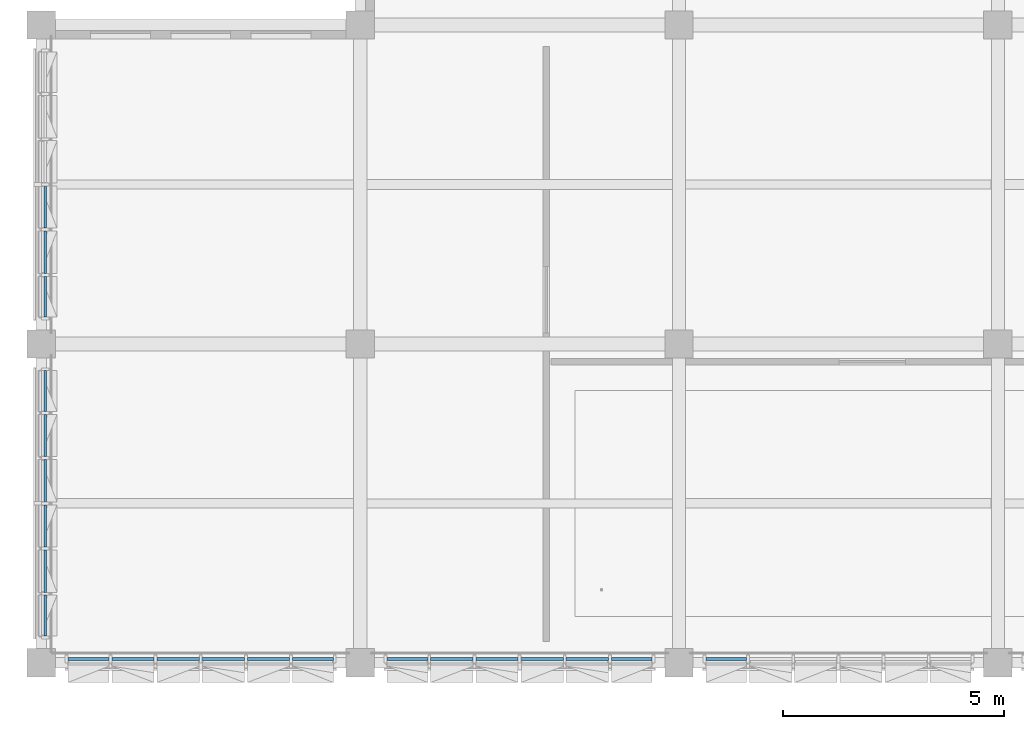
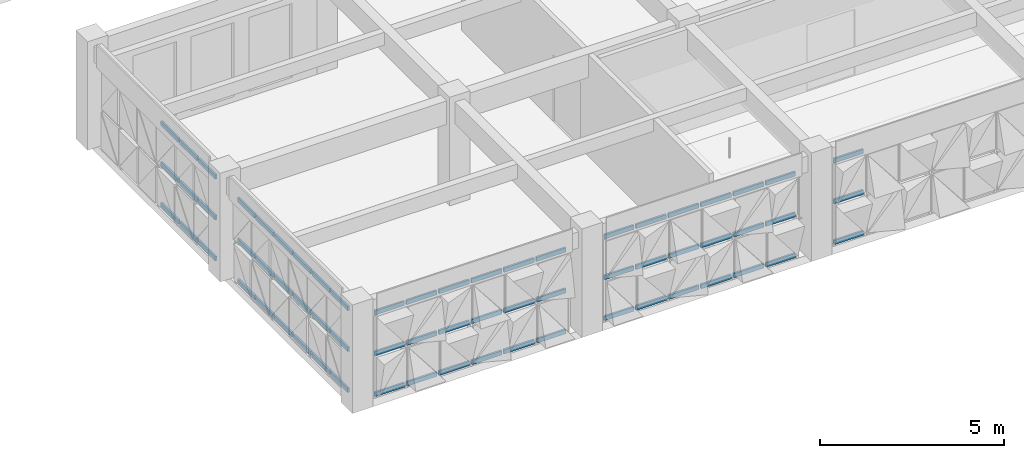
# One storey, part 19 of 85: 66 members, 5 elements without a shape of their own.
"""IFC4 building model written with IfcOpenShell, lengths in metres."""

from ifc_helpers import new_model, si_unit, direction, frame, origin, origin_2d, place, context, subcontext, project, spatial, rectangle, extrude, material, material_profile, profile_set, type_object, element, aggregate, save


model = new_model("IFC4")

# Units and contexts
model_context = context("Model", 3, precision=1e-05, world=origin(), true_north=direction((0.0, 1.0)))
body_context = subcontext(model_context, "Body", "Model", "MODEL_VIEW")
ifc_project = project(units=[si_unit("LENGTHUNIT", "METRE"), si_unit("AREAUNIT", "SQUARE_METRE"), si_unit("VOLUMEUNIT", "CUBIC_METRE"), si_unit("PLANEANGLEUNIT", "RADIAN"), si_unit("MASSUNIT", "GRAM", prefix="KILO")], contexts=[model_context])

# Site, building, storey
site_placement = place(None, origin())
site = spatial("IfcSite", under=ifc_project, at=site_placement, CompositionType="ELEMENT")
building_placement = place(site_placement, origin())
building = spatial("IfcBuilding", under=site, at=building_placement, Name="Alvorim Cloister Faculty of Sciences", CompositionType="ELEMENT")
storey_placement = place(building_placement, frame((0.0, 0.0, 8.550048828125)))
storey = spatial("IfcBuildingStorey", under=building, at=storey_placement, Name="L02", CompositionType="ELEMENT", Elevation=8.550048828125)

# Curtain wall, members
ifc_material_1 = material(Name="Aluminium and Low-E Glass Curtain Wall", Category="aluminium")
curtain_wall_type = type_object("IfcCurtainWallType", Name="CW-TRI-6120x2850", PredefinedType="USERDEFINED", material=ifc_material_1)
curtain_wall_1_placement = place(storey_placement, origin())
curtain_wall_1 = element("IfcCurtainWall", 1, at=curtain_wall_1_placement, inside=storey, type_object=curtain_wall_type, Name="L02 Diagonal Cassette Curtain Wall CW-0085", ObjectType="UNITISED CURTAIN WALL", PredefinedType="USERDEFINED")
ifc_material_2 = material(Name="Aluminium Alloy 6063-T6", Category="aluminium")
ifc_material_profile = material_profile(ifc_material_2, rectangle(XDim=0.06494140625, YDim=0.139892578125, at=origin_2d()), Name="ALU-TRN-65x140")
ifc_profile_set = profile_set([ifc_material_profile], Name="Aluminium Alloy 6063-T6")
member_type = type_object("IfcMemberType", Name="CW-TRN-65x140", PredefinedType="USERDEFINED", material=ifc_profile_set)
member_1_placement = place(storey_placement, frame((15.0048828125, 0.090087890625, 0.070068359375), z_axis=(1.0, 0.0, 0.0), x_axis=(0.0, 1.0, 0.0)))
member_1 = element("IfcMember", 2, at=member_1_placement, type_object=member_type, Name="CW-0085 Transom 1.1", ObjectType="TRANSOM", PredefinedType="USERDEFINED", context=body_context, shape_type="SweptSolid", body=[
    extrude(rectangle(XDim=0.06494140625, YDim=0.139892578125, at=origin_2d()), origin(), (0.0, 0.0, 1.0), 0.922607421875),
])
member_2_placement = place(storey_placement, frame((15.0048828125, 0.090087890625, 1.425048828125), z_axis=(1.0, 0.0, 0.0), x_axis=(0.0, 1.0, 0.0)))
member_2 = element("IfcMember", 3, at=member_2_placement, type_object=member_type, Name="CW-0085 Transom 1.2", ObjectType="TRANSOM", PredefinedType="USERDEFINED", context=body_context, shape_type="SweptSolid", body=[
    extrude(rectangle(XDim=0.06494140625, YDim=0.139892578125, at=origin_2d()), origin(), (0.0, 0.0, 1.0), 0.922607421875),
])
member_3_placement = place(storey_placement, frame((15.0048828125, 0.090087890625, 2.780029296875), z_axis=(1.0, 0.0, 0.0), x_axis=(0.0, 1.0, 0.0)))
member_3 = element("IfcMember", 4, at=member_3_placement, type_object=member_type, Name="CW-0085 Transom 1.3", ObjectType="TRANSOM", PredefinedType="USERDEFINED", context=body_context, shape_type="SweptSolid", body=[
    extrude(rectangle(XDim=0.06494140625, YDim=0.139892578125, at=origin_2d()), origin(), (0.0, 0.0, 1.0), 0.922607421875),
])
aggregate(curtain_wall_1, [member_1, member_2, member_3])

curtain_wall_2_placement = place(storey_placement, origin())
curtain_wall_2 = element("IfcCurtainWall", 5, at=curtain_wall_2_placement, inside=storey, type_object=curtain_wall_type, Name="L02 Diagonal Cassette Curtain Wall CW-0086", ObjectType="UNITISED CURTAIN WALL", PredefinedType="USERDEFINED")
member_4_placement = place(storey_placement, frame((7.804931640625, 0.090087890625, 0.070068359375), z_axis=(1.0, 0.0, 0.0), x_axis=(0.0, 1.0, 0.0)))
member_4 = element("IfcMember", 6, at=member_4_placement, type_object=member_type, Name="CW-0086 Transom 1.1", ObjectType="TRANSOM", PredefinedType="USERDEFINED", context=body_context, shape_type="SweptSolid", body=[
    extrude(rectangle(XDim=0.06494140625, YDim=0.139892578125, at=origin_2d()), origin(), (0.0, 0.0, 1.0), 0.922607421875),
])
member_5_placement = place(storey_placement, frame((7.804931640625, 0.090087890625, 1.425048828125), z_axis=(1.0, 0.0, 0.0), x_axis=(0.0, 1.0, 0.0)))
member_5 = element("IfcMember", 7, at=member_5_placement, type_object=member_type, Name="CW-0086 Transom 1.2", ObjectType="TRANSOM", PredefinedType="USERDEFINED", context=body_context, shape_type="SweptSolid", body=[
    extrude(rectangle(XDim=0.06494140625, YDim=0.139892578125, at=origin_2d()), origin(), (0.0, 0.0, 1.0), 0.922607421875),
])
member_6_placement = place(storey_placement, frame((7.804931640625, 0.090087890625, 2.780029296875), z_axis=(1.0, 0.0, 0.0), x_axis=(0.0, 1.0, 0.0)))
member_6 = element("IfcMember", 8, at=member_6_placement, type_object=member_type, Name="CW-0086 Transom 1.3", ObjectType="TRANSOM", PredefinedType="USERDEFINED", context=body_context, shape_type="SweptSolid", body=[
    extrude(rectangle(XDim=0.06494140625, YDim=0.139892578125, at=origin_2d()), origin(), (0.0, 0.0, 1.0), 0.922607421875),
])
member_7_placement = place(storey_placement, frame((8.79248046875, 0.090087890625, 0.070068359375), z_axis=(1.0, 0.0, 0.0), x_axis=(0.0, 1.0, 0.0)))
member_7 = element("IfcMember", 9, at=member_7_placement, type_object=member_type, Name="CW-0086 Transom 2.1", ObjectType="TRANSOM", PredefinedType="USERDEFINED", context=body_context, shape_type="SweptSolid", body=[
    extrude(rectangle(XDim=0.06494140625, YDim=0.139892578125, at=origin_2d()), origin(), (0.0, 0.0, 1.0), 0.955078125),
])
member_8_placement = place(storey_placement, frame((8.79248046875, 0.090087890625, 1.425048828125), z_axis=(1.0, 0.0, 0.0), x_axis=(0.0, 1.0, 0.0)))
member_8 = element("IfcMember", 10, at=member_8_placement, type_object=member_type, Name="CW-0086 Transom 2.2", ObjectType="TRANSOM", PredefinedType="USERDEFINED", context=body_context, shape_type="SweptSolid", body=[
    extrude(rectangle(XDim=0.06494140625, YDim=0.139892578125, at=origin_2d()), origin(), (0.0, 0.0, 1.0), 0.955078125),
])
member_9_placement = place(storey_placement, frame((8.79248046875, 0.090087890625, 2.780029296875), z_axis=(1.0, 0.0, 0.0), x_axis=(0.0, 1.0, 0.0)))
member_9 = element("IfcMember", 11, at=member_9_placement, type_object=member_type, Name="CW-0086 Transom 2.3", ObjectType="TRANSOM", PredefinedType="USERDEFINED", context=body_context, shape_type="SweptSolid", body=[
    extrude(rectangle(XDim=0.06494140625, YDim=0.139892578125, at=origin_2d()), origin(), (0.0, 0.0, 1.0), 0.955078125),
])
member_10_placement = place(storey_placement, frame((9.8125, 0.090087890625, 0.070068359375), z_axis=(1.0, 0.0, 0.0), x_axis=(0.0, 1.0, 0.0)))
member_10 = element("IfcMember", 12, at=member_10_placement, type_object=member_type, Name="CW-0086 Transom 3.1", ObjectType="TRANSOM", PredefinedType="USERDEFINED", context=body_context, shape_type="SweptSolid", body=[
    extrude(rectangle(XDim=0.06494140625, YDim=0.139892578125, at=origin_2d()), origin(), (0.0, 0.0, 1.0), 0.955078125),
])
member_11_placement = place(storey_placement, frame((9.8125, 0.090087890625, 1.425048828125), z_axis=(1.0, 0.0, 0.0), x_axis=(0.0, 1.0, 0.0)))
member_11 = element("IfcMember", 13, at=member_11_placement, type_object=member_type, Name="CW-0086 Transom 3.2", ObjectType="TRANSOM", PredefinedType="USERDEFINED", context=body_context, shape_type="SweptSolid", body=[
    extrude(rectangle(XDim=0.06494140625, YDim=0.139892578125, at=origin_2d()), origin(), (0.0, 0.0, 1.0), 0.955078125),
])
member_12_placement = place(storey_placement, frame((9.8125, 0.090087890625, 2.780029296875), z_axis=(1.0, 0.0, 0.0), x_axis=(0.0, 1.0, 0.0)))
member_12 = element("IfcMember", 14, at=member_12_placement, type_object=member_type, Name="CW-0086 Transom 3.3", ObjectType="TRANSOM", PredefinedType="USERDEFINED", context=body_context, shape_type="SweptSolid", body=[
    extrude(rectangle(XDim=0.06494140625, YDim=0.139892578125, at=origin_2d()), origin(), (0.0, 0.0, 1.0), 0.955078125),
])
member_13_placement = place(storey_placement, frame((10.83251953125, 0.090087890625, 0.070068359375), z_axis=(1.0, 0.0, 0.0), x_axis=(0.0, 1.0, 0.0)))
member_13 = element("IfcMember", 15, at=member_13_placement, type_object=member_type, Name="CW-0086 Transom 4.1", ObjectType="TRANSOM", PredefinedType="USERDEFINED", context=body_context, shape_type="SweptSolid", body=[
    extrude(rectangle(XDim=0.06494140625, YDim=0.139892578125, at=origin_2d()), origin(), (0.0, 0.0, 1.0), 0.955078125),
])
member_14_placement = place(storey_placement, frame((10.83251953125, 0.090087890625, 1.425048828125), z_axis=(1.0, 0.0, 0.0), x_axis=(0.0, 1.0, 0.0)))
member_14 = element("IfcMember", 16, at=member_14_placement, type_object=member_type, Name="CW-0086 Transom 4.2", ObjectType="TRANSOM", PredefinedType="USERDEFINED", context=body_context, shape_type="SweptSolid", body=[
    extrude(rectangle(XDim=0.06494140625, YDim=0.139892578125, at=origin_2d()), origin(), (0.0, 0.0, 1.0), 0.955078125),
])
member_15_placement = place(storey_placement, frame((10.83251953125, 0.090087890625, 2.780029296875), z_axis=(1.0, 0.0, 0.0), x_axis=(0.0, 1.0, 0.0)))
member_15 = element("IfcMember", 17, at=member_15_placement, type_object=member_type, Name="CW-0086 Transom 4.3", ObjectType="TRANSOM", PredefinedType="USERDEFINED", context=body_context, shape_type="SweptSolid", body=[
    extrude(rectangle(XDim=0.06494140625, YDim=0.139892578125, at=origin_2d()), origin(), (0.0, 0.0, 1.0), 0.955078125),
])
member_16_placement = place(storey_placement, frame((11.8525390625, 0.090087890625, 0.070068359375), z_axis=(1.0, 0.0, 0.0), x_axis=(0.0, 1.0, 0.0)))
member_16 = element("IfcMember", 18, at=member_16_placement, type_object=member_type, Name="CW-0086 Transom 5.1", ObjectType="TRANSOM", PredefinedType="USERDEFINED", context=body_context, shape_type="SweptSolid", body=[
    extrude(rectangle(XDim=0.06494140625, YDim=0.139892578125, at=origin_2d()), origin(), (0.0, 0.0, 1.0), 0.955078125),
])
member_17_placement = place(storey_placement, frame((11.8525390625, 0.090087890625, 1.425048828125), z_axis=(1.0, 0.0, 0.0), x_axis=(0.0, 1.0, 0.0)))
member_17 = element("IfcMember", 19, at=member_17_placement, type_object=member_type, Name="CW-0086 Transom 5.2", ObjectType="TRANSOM", PredefinedType="USERDEFINED", context=body_context, shape_type="SweptSolid", body=[
    extrude(rectangle(XDim=0.06494140625, YDim=0.139892578125, at=origin_2d()), origin(), (0.0, 0.0, 1.0), 0.955078125),
])
member_18_placement = place(storey_placement, frame((11.8525390625, 0.090087890625, 2.780029296875), z_axis=(1.0, 0.0, 0.0), x_axis=(0.0, 1.0, 0.0)))
member_18 = element("IfcMember", 20, at=member_18_placement, type_object=member_type, Name="CW-0086 Transom 5.3", ObjectType="TRANSOM", PredefinedType="USERDEFINED", context=body_context, shape_type="SweptSolid", body=[
    extrude(rectangle(XDim=0.06494140625, YDim=0.139892578125, at=origin_2d()), origin(), (0.0, 0.0, 1.0), 0.955078125),
])
member_19_placement = place(storey_placement, frame((12.87255859375, 0.090087890625, 0.070068359375), z_axis=(1.0, 0.0, 0.0), x_axis=(0.0, 1.0, 0.0)))
member_19 = element("IfcMember", 21, at=member_19_placement, type_object=member_type, Name="CW-0086 Transom 6.1", ObjectType="TRANSOM", PredefinedType="USERDEFINED", context=body_context, shape_type="SweptSolid", body=[
    extrude(rectangle(XDim=0.06494140625, YDim=0.139892578125, at=origin_2d()), origin(), (0.0, 0.0, 1.0), 0.92236328125),
])
member_20_placement = place(storey_placement, frame((12.87255859375, 0.090087890625, 1.425048828125), z_axis=(1.0, 0.0, 0.0), x_axis=(0.0, 1.0, 0.0)))
member_20 = element("IfcMember", 22, at=member_20_placement, type_object=member_type, Name="CW-0086 Transom 6.2", ObjectType="TRANSOM", PredefinedType="USERDEFINED", context=body_context, shape_type="SweptSolid", body=[
    extrude(rectangle(XDim=0.06494140625, YDim=0.139892578125, at=origin_2d()), origin(), (0.0, 0.0, 1.0), 0.92236328125),
])
member_21_placement = place(storey_placement, frame((12.87255859375, 0.090087890625, 2.780029296875), z_axis=(1.0, 0.0, 0.0), x_axis=(0.0, 1.0, 0.0)))
member_21 = element("IfcMember", 23, at=member_21_placement, type_object=member_type, Name="CW-0086 Transom 6.3", ObjectType="TRANSOM", PredefinedType="USERDEFINED", context=body_context, shape_type="SweptSolid", body=[
    extrude(rectangle(XDim=0.06494140625, YDim=0.139892578125, at=origin_2d()), origin(), (0.0, 0.0, 1.0), 0.92236328125),
])
aggregate(curtain_wall_2, [member_4, member_5, member_6, member_7, member_8, member_9, member_10, member_11, member_12, member_13, member_14, member_15, member_16, member_17, member_18, member_19, member_20, member_21])

curtain_wall_3_placement = place(storey_placement, origin())
curtain_wall_3 = element("IfcCurtainWall", 24, at=curtain_wall_3_placement, inside=storey, type_object=curtain_wall_type, Name="L02 Diagonal Cassette Curtain Wall CW-0087", ObjectType="UNITISED CURTAIN WALL", PredefinedType="USERDEFINED")
member_22_placement = place(storey_placement, frame((0.60498046875, 0.090087890625, 0.070068359375), z_axis=(1.0, 0.0, 0.0), x_axis=(0.0, 1.0, 0.0)))
member_22 = element("IfcMember", 25, at=member_22_placement, type_object=member_type, Name="CW-0087 Transom 1.1", ObjectType="TRANSOM", PredefinedType="USERDEFINED", context=body_context, shape_type="SweptSolid", body=[
    extrude(rectangle(XDim=0.06494140625, YDim=0.139892578125, at=origin_2d()), origin(), (0.0, 0.0, 1.0), 0.922607421875),
])
member_23_placement = place(storey_placement, frame((0.60498046875, 0.090087890625, 1.425048828125), z_axis=(1.0, 0.0, 0.0), x_axis=(0.0, 1.0, 0.0)))
member_23 = element("IfcMember", 26, at=member_23_placement, type_object=member_type, Name="CW-0087 Transom 1.2", ObjectType="TRANSOM", PredefinedType="USERDEFINED", context=body_context, shape_type="SweptSolid", body=[
    extrude(rectangle(XDim=0.06494140625, YDim=0.139892578125, at=origin_2d()), origin(), (0.0, 0.0, 1.0), 0.922607421875),
])
member_24_placement = place(storey_placement, frame((0.60498046875, 0.090087890625, 2.780029296875), z_axis=(1.0, 0.0, 0.0), x_axis=(0.0, 1.0, 0.0)))
member_24 = element("IfcMember", 27, at=member_24_placement, type_object=member_type, Name="CW-0087 Transom 1.3", ObjectType="TRANSOM", PredefinedType="USERDEFINED", context=body_context, shape_type="SweptSolid", body=[
    extrude(rectangle(XDim=0.06494140625, YDim=0.139892578125, at=origin_2d()), origin(), (0.0, 0.0, 1.0), 0.922607421875),
])
member_25_placement = place(storey_placement, frame((1.592529296875, 0.090087890625, 0.070068359375), z_axis=(1.0, 0.0, 0.0), x_axis=(0.0, 1.0, 0.0)))
member_25 = element("IfcMember", 28, at=member_25_placement, type_object=member_type, Name="CW-0087 Transom 2.1", ObjectType="TRANSOM", PredefinedType="USERDEFINED", context=body_context, shape_type="SweptSolid", body=[
    extrude(rectangle(XDim=0.06494140625, YDim=0.139892578125, at=origin_2d()), origin(), (0.0, 0.0, 1.0), 0.955078125),
])
member_26_placement = place(storey_placement, frame((1.592529296875, 0.090087890625, 1.425048828125), z_axis=(1.0, 0.0, 0.0), x_axis=(0.0, 1.0, 0.0)))
member_26 = element("IfcMember", 29, at=member_26_placement, type_object=member_type, Name="CW-0087 Transom 2.2", ObjectType="TRANSOM", PredefinedType="USERDEFINED", context=body_context, shape_type="SweptSolid", body=[
    extrude(rectangle(XDim=0.06494140625, YDim=0.139892578125, at=origin_2d()), origin(), (0.0, 0.0, 1.0), 0.955078125),
])
member_27_placement = place(storey_placement, frame((1.592529296875, 0.090087890625, 2.780029296875), z_axis=(1.0, 0.0, 0.0), x_axis=(0.0, 1.0, 0.0)))
member_27 = element("IfcMember", 30, at=member_27_placement, type_object=member_type, Name="CW-0087 Transom 2.3", ObjectType="TRANSOM", PredefinedType="USERDEFINED", context=body_context, shape_type="SweptSolid", body=[
    extrude(rectangle(XDim=0.06494140625, YDim=0.139892578125, at=origin_2d()), origin(), (0.0, 0.0, 1.0), 0.955078125),
])
member_28_placement = place(storey_placement, frame((2.612548828125, 0.090087890625, 0.070068359375), z_axis=(1.0, 0.0, 0.0), x_axis=(0.0, 1.0, 0.0)))
member_28 = element("IfcMember", 31, at=member_28_placement, type_object=member_type, Name="CW-0087 Transom 3.1", ObjectType="TRANSOM", PredefinedType="USERDEFINED", context=body_context, shape_type="SweptSolid", body=[
    extrude(rectangle(XDim=0.06494140625, YDim=0.139892578125, at=origin_2d()), origin(), (0.0, 0.0, 1.0), 0.954833984375),
])
member_29_placement = place(storey_placement, frame((2.612548828125, 0.090087890625, 1.425048828125), z_axis=(1.0, 0.0, 0.0), x_axis=(0.0, 1.0, 0.0)))
member_29 = element("IfcMember", 32, at=member_29_placement, type_object=member_type, Name="CW-0087 Transom 3.2", ObjectType="TRANSOM", PredefinedType="USERDEFINED", context=body_context, shape_type="SweptSolid", body=[
    extrude(rectangle(XDim=0.06494140625, YDim=0.139892578125, at=origin_2d()), origin(), (0.0, 0.0, 1.0), 0.954833984375),
])
member_30_placement = place(storey_placement, frame((2.612548828125, 0.090087890625, 2.780029296875), z_axis=(1.0, 0.0, 0.0), x_axis=(0.0, 1.0, 0.0)))
member_30 = element("IfcMember", 33, at=member_30_placement, type_object=member_type, Name="CW-0087 Transom 3.3", ObjectType="TRANSOM", PredefinedType="USERDEFINED", context=body_context, shape_type="SweptSolid", body=[
    extrude(rectangle(XDim=0.06494140625, YDim=0.139892578125, at=origin_2d()), origin(), (0.0, 0.0, 1.0), 0.954833984375),
])
member_31_placement = place(storey_placement, frame((3.632568359375, 0.090087890625, 0.070068359375), z_axis=(1.0, 0.0, 0.0), x_axis=(0.0, 1.0, 0.0)))
member_31 = element("IfcMember", 34, at=member_31_placement, type_object=member_type, Name="CW-0087 Transom 4.1", ObjectType="TRANSOM", PredefinedType="USERDEFINED", context=body_context, shape_type="SweptSolid", body=[
    extrude(rectangle(XDim=0.06494140625, YDim=0.139892578125, at=origin_2d()), origin(), (0.0, 0.0, 1.0), 0.954833984375),
])
member_32_placement = place(storey_placement, frame((3.632568359375, 0.090087890625, 1.425048828125), z_axis=(1.0, 0.0, 0.0), x_axis=(0.0, 1.0, 0.0)))
member_32 = element("IfcMember", 35, at=member_32_placement, type_object=member_type, Name="CW-0087 Transom 4.2", ObjectType="TRANSOM", PredefinedType="USERDEFINED", context=body_context, shape_type="SweptSolid", body=[
    extrude(rectangle(XDim=0.06494140625, YDim=0.139892578125, at=origin_2d()), origin(), (0.0, 0.0, 1.0), 0.954833984375),
])
member_33_placement = place(storey_placement, frame((3.632568359375, 0.090087890625, 2.780029296875), z_axis=(1.0, 0.0, 0.0), x_axis=(0.0, 1.0, 0.0)))
member_33 = element("IfcMember", 36, at=member_33_placement, type_object=member_type, Name="CW-0087 Transom 4.3", ObjectType="TRANSOM", PredefinedType="USERDEFINED", context=body_context, shape_type="SweptSolid", body=[
    extrude(rectangle(XDim=0.06494140625, YDim=0.139892578125, at=origin_2d()), origin(), (0.0, 0.0, 1.0), 0.954833984375),
])
member_34_placement = place(storey_placement, frame((4.652587890625, 0.090087890625, 0.070068359375), z_axis=(1.0, 0.0, 0.0), x_axis=(0.0, 1.0, 0.0)))
member_34 = element("IfcMember", 37, at=member_34_placement, type_object=member_type, Name="CW-0087 Transom 5.1", ObjectType="TRANSOM", PredefinedType="USERDEFINED", context=body_context, shape_type="SweptSolid", body=[
    extrude(rectangle(XDim=0.06494140625, YDim=0.139892578125, at=origin_2d()), origin(), (0.0, 0.0, 1.0), 0.954833984375),
])
member_35_placement = place(storey_placement, frame((4.652587890625, 0.090087890625, 1.425048828125), z_axis=(1.0, 0.0, 0.0), x_axis=(0.0, 1.0, 0.0)))
member_35 = element("IfcMember", 38, at=member_35_placement, type_object=member_type, Name="CW-0087 Transom 5.2", ObjectType="TRANSOM", PredefinedType="USERDEFINED", context=body_context, shape_type="SweptSolid", body=[
    extrude(rectangle(XDim=0.06494140625, YDim=0.139892578125, at=origin_2d()), origin(), (0.0, 0.0, 1.0), 0.954833984375),
])
member_36_placement = place(storey_placement, frame((4.652587890625, 0.090087890625, 2.780029296875), z_axis=(1.0, 0.0, 0.0), x_axis=(0.0, 1.0, 0.0)))
member_36 = element("IfcMember", 39, at=member_36_placement, type_object=member_type, Name="CW-0087 Transom 5.3", ObjectType="TRANSOM", PredefinedType="USERDEFINED", context=body_context, shape_type="SweptSolid", body=[
    extrude(rectangle(XDim=0.06494140625, YDim=0.139892578125, at=origin_2d()), origin(), (0.0, 0.0, 1.0), 0.954833984375),
])
member_37_placement = place(storey_placement, frame((5.672607421875, 0.090087890625, 0.070068359375), z_axis=(1.0, 0.0, 0.0), x_axis=(0.0, 1.0, 0.0)))
member_37 = element("IfcMember", 40, at=member_37_placement, type_object=member_type, Name="CW-0087 Transom 6.1", ObjectType="TRANSOM", PredefinedType="USERDEFINED", context=body_context, shape_type="SweptSolid", body=[
    extrude(rectangle(XDim=0.06494140625, YDim=0.139892578125, at=origin_2d()), origin(), (0.0, 0.0, 1.0), 0.92236328125),
])
member_38_placement = place(storey_placement, frame((5.672607421875, 0.090087890625, 1.425048828125), z_axis=(1.0, 0.0, 0.0), x_axis=(0.0, 1.0, 0.0)))
member_38 = element("IfcMember", 41, at=member_38_placement, type_object=member_type, Name="CW-0087 Transom 6.2", ObjectType="TRANSOM", PredefinedType="USERDEFINED", context=body_context, shape_type="SweptSolid", body=[
    extrude(rectangle(XDim=0.06494140625, YDim=0.139892578125, at=origin_2d()), origin(), (0.0, 0.0, 1.0), 0.92236328125),
])
member_39_placement = place(storey_placement, frame((5.672607421875, 0.090087890625, 2.780029296875), z_axis=(1.0, 0.0, 0.0), x_axis=(0.0, 1.0, 0.0)))
member_39 = element("IfcMember", 42, at=member_39_placement, type_object=member_type, Name="CW-0087 Transom 6.3", ObjectType="TRANSOM", PredefinedType="USERDEFINED", context=body_context, shape_type="SweptSolid", body=[
    extrude(rectangle(XDim=0.06494140625, YDim=0.139892578125, at=origin_2d()), origin(), (0.0, 0.0, 1.0), 0.92236328125),
])
aggregate(curtain_wall_3, [member_22, member_23, member_24, member_25, member_26, member_27, member_28, member_29, member_30, member_31, member_32, member_33, member_34, member_35, member_36, member_37, member_38, member_39])

curtain_wall_4_placement = place(storey_placement, origin())
curtain_wall_4 = element("IfcCurtainWall", 43, at=curtain_wall_4_placement, inside=storey, type_object=curtain_wall_type, Name="L02 Diagonal Cassette Curtain Wall CW-0088", ObjectType="UNITISED CURTAIN WALL", PredefinedType="USERDEFINED")
member_40_placement = place(storey_placement, frame((0.090087890625, 0.60498046875, 0.070068359375), z_axis=(0.0, 1.0, 0.0), x_axis=(-1.0, 0.0, 0.0)))
member_40 = element("IfcMember", 44, at=member_40_placement, type_object=member_type, Name="CW-0088 Transom 1.1", ObjectType="TRANSOM", PredefinedType="USERDEFINED", context=body_context, shape_type="SweptSolid", body=[
    extrude(rectangle(XDim=0.06494140625, YDim=0.139892578125, at=origin_2d()), origin(), (0.0, 0.0, 1.0), 0.922607421875),
])
member_41_placement = place(storey_placement, frame((0.090087890625, 0.60498046875, 1.425048828125), z_axis=(0.0, 1.0, 0.0), x_axis=(-1.0, 0.0, 0.0)))
member_41 = element("IfcMember", 45, at=member_41_placement, type_object=member_type, Name="CW-0088 Transom 1.2", ObjectType="TRANSOM", PredefinedType="USERDEFINED", context=body_context, shape_type="SweptSolid", body=[
    extrude(rectangle(XDim=0.06494140625, YDim=0.139892578125, at=origin_2d()), origin(), (0.0, 0.0, 1.0), 0.922607421875),
])
member_42_placement = place(storey_placement, frame((0.090087890625, 0.60498046875, 2.780029296875), z_axis=(0.0, 1.0, 0.0), x_axis=(-1.0, 0.0, 0.0)))
member_42 = element("IfcMember", 46, at=member_42_placement, type_object=member_type, Name="CW-0088 Transom 1.3", ObjectType="TRANSOM", PredefinedType="USERDEFINED", context=body_context, shape_type="SweptSolid", body=[
    extrude(rectangle(XDim=0.06494140625, YDim=0.139892578125, at=origin_2d()), origin(), (0.0, 0.0, 1.0), 0.922607421875),
])
member_43_placement = place(storey_placement, frame((0.090087890625, 1.592529296875, 0.070068359375), z_axis=(0.0, 1.0, 0.0), x_axis=(-1.0, 0.0, 0.0)))
member_43 = element("IfcMember", 47, at=member_43_placement, type_object=member_type, Name="CW-0088 Transom 2.1", ObjectType="TRANSOM", PredefinedType="USERDEFINED", context=body_context, shape_type="SweptSolid", body=[
    extrude(rectangle(XDim=0.06494140625, YDim=0.139892578125, at=origin_2d()), origin(), (0.0, 0.0, 1.0), 0.955078125),
])
member_44_placement = place(storey_placement, frame((0.090087890625, 1.592529296875, 1.425048828125), z_axis=(0.0, 1.0, 0.0), x_axis=(-1.0, 0.0, 0.0)))
member_44 = element("IfcMember", 48, at=member_44_placement, type_object=member_type, Name="CW-0088 Transom 2.2", ObjectType="TRANSOM", PredefinedType="USERDEFINED", context=body_context, shape_type="SweptSolid", body=[
    extrude(rectangle(XDim=0.06494140625, YDim=0.139892578125, at=origin_2d()), origin(), (0.0, 0.0, 1.0), 0.955078125),
])
member_45_placement = place(storey_placement, frame((0.090087890625, 1.592529296875, 2.780029296875), z_axis=(0.0, 1.0, 0.0), x_axis=(-1.0, 0.0, 0.0)))
member_45 = element("IfcMember", 49, at=member_45_placement, type_object=member_type, Name="CW-0088 Transom 2.3", ObjectType="TRANSOM", PredefinedType="USERDEFINED", context=body_context, shape_type="SweptSolid", body=[
    extrude(rectangle(XDim=0.06494140625, YDim=0.139892578125, at=origin_2d()), origin(), (0.0, 0.0, 1.0), 0.955078125),
])
member_46_placement = place(storey_placement, frame((0.090087890625, 2.612548828125, 0.070068359375), z_axis=(0.0, 1.0, 0.0), x_axis=(-1.0, 0.0, 0.0)))
member_46 = element("IfcMember", 50, at=member_46_placement, type_object=member_type, Name="CW-0088 Transom 3.1", ObjectType="TRANSOM", PredefinedType="USERDEFINED", context=body_context, shape_type="SweptSolid", body=[
    extrude(rectangle(XDim=0.06494140625, YDim=0.139892578125, at=origin_2d()), origin(), (0.0, 0.0, 1.0), 0.954833984375),
])
member_47_placement = place(storey_placement, frame((0.090087890625, 2.612548828125, 1.425048828125), z_axis=(0.0, 1.0, 0.0), x_axis=(-1.0, 0.0, 0.0)))
member_47 = element("IfcMember", 51, at=member_47_placement, type_object=member_type, Name="CW-0088 Transom 3.2", ObjectType="TRANSOM", PredefinedType="USERDEFINED", context=body_context, shape_type="SweptSolid", body=[
    extrude(rectangle(XDim=0.06494140625, YDim=0.139892578125, at=origin_2d()), origin(), (0.0, 0.0, 1.0), 0.954833984375),
])
member_48_placement = place(storey_placement, frame((0.090087890625, 2.612548828125, 2.780029296875), z_axis=(0.0, 1.0, 0.0), x_axis=(-1.0, 0.0, 0.0)))
member_48 = element("IfcMember", 52, at=member_48_placement, type_object=member_type, Name="CW-0088 Transom 3.3", ObjectType="TRANSOM", PredefinedType="USERDEFINED", context=body_context, shape_type="SweptSolid", body=[
    extrude(rectangle(XDim=0.06494140625, YDim=0.139892578125, at=origin_2d()), origin(), (0.0, 0.0, 1.0), 0.954833984375),
])
member_49_placement = place(storey_placement, frame((0.090087890625, 3.632568359375, 0.070068359375), z_axis=(0.0, 1.0, 0.0), x_axis=(-1.0, 0.0, 0.0)))
member_49 = element("IfcMember", 53, at=member_49_placement, type_object=member_type, Name="CW-0088 Transom 4.1", ObjectType="TRANSOM", PredefinedType="USERDEFINED", context=body_context, shape_type="SweptSolid", body=[
    extrude(rectangle(XDim=0.06494140625, YDim=0.139892578125, at=origin_2d()), origin(), (0.0, 0.0, 1.0), 0.954833984375),
])
member_50_placement = place(storey_placement, frame((0.090087890625, 3.632568359375, 1.425048828125), z_axis=(0.0, 1.0, 0.0), x_axis=(-1.0, 0.0, 0.0)))
member_50 = element("IfcMember", 54, at=member_50_placement, type_object=member_type, Name="CW-0088 Transom 4.2", ObjectType="TRANSOM", PredefinedType="USERDEFINED", context=body_context, shape_type="SweptSolid", body=[
    extrude(rectangle(XDim=0.06494140625, YDim=0.139892578125, at=origin_2d()), origin(), (0.0, 0.0, 1.0), 0.954833984375),
])
member_51_placement = place(storey_placement, frame((0.090087890625, 3.632568359375, 2.780029296875), z_axis=(0.0, 1.0, 0.0), x_axis=(-1.0, 0.0, 0.0)))
member_51 = element("IfcMember", 55, at=member_51_placement, type_object=member_type, Name="CW-0088 Transom 4.3", ObjectType="TRANSOM", PredefinedType="USERDEFINED", context=body_context, shape_type="SweptSolid", body=[
    extrude(rectangle(XDim=0.06494140625, YDim=0.139892578125, at=origin_2d()), origin(), (0.0, 0.0, 1.0), 0.954833984375),
])
member_52_placement = place(storey_placement, frame((0.090087890625, 4.652587890625, 0.070068359375), z_axis=(0.0, 1.0, 0.0), x_axis=(-1.0, 0.0, 0.0)))
member_52 = element("IfcMember", 56, at=member_52_placement, type_object=member_type, Name="CW-0088 Transom 5.1", ObjectType="TRANSOM", PredefinedType="USERDEFINED", context=body_context, shape_type="SweptSolid", body=[
    extrude(rectangle(XDim=0.06494140625, YDim=0.139892578125, at=origin_2d()), origin(), (0.0, 0.0, 1.0), 0.954833984375),
])
member_53_placement = place(storey_placement, frame((0.090087890625, 4.652587890625, 1.425048828125), z_axis=(0.0, 1.0, 0.0), x_axis=(-1.0, 0.0, 0.0)))
member_53 = element("IfcMember", 57, at=member_53_placement, type_object=member_type, Name="CW-0088 Transom 5.2", ObjectType="TRANSOM", PredefinedType="USERDEFINED", context=body_context, shape_type="SweptSolid", body=[
    extrude(rectangle(XDim=0.06494140625, YDim=0.139892578125, at=origin_2d()), origin(), (0.0, 0.0, 1.0), 0.954833984375),
])
member_54_placement = place(storey_placement, frame((0.090087890625, 4.652587890625, 2.780029296875), z_axis=(0.0, 1.0, 0.0), x_axis=(-1.0, 0.0, 0.0)))
member_54 = element("IfcMember", 58, at=member_54_placement, type_object=member_type, Name="CW-0088 Transom 5.3", ObjectType="TRANSOM", PredefinedType="USERDEFINED", context=body_context, shape_type="SweptSolid", body=[
    extrude(rectangle(XDim=0.06494140625, YDim=0.139892578125, at=origin_2d()), origin(), (0.0, 0.0, 1.0), 0.954833984375),
])
member_55_placement = place(storey_placement, frame((0.090087890625, 5.672607421875, 0.070068359375), z_axis=(0.0, 1.0, 0.0), x_axis=(-1.0, 0.0, 0.0)))
member_55 = element("IfcMember", 59, at=member_55_placement, type_object=member_type, Name="CW-0088 Transom 6.1", ObjectType="TRANSOM", PredefinedType="USERDEFINED", context=body_context, shape_type="SweptSolid", body=[
    extrude(rectangle(XDim=0.06494140625, YDim=0.139892578125, at=origin_2d()), origin(), (0.0, 0.0, 1.0), 0.92236328125),
])
member_56_placement = place(storey_placement, frame((0.090087890625, 5.672607421875, 1.425048828125), z_axis=(0.0, 1.0, 0.0), x_axis=(-1.0, 0.0, 0.0)))
member_56 = element("IfcMember", 60, at=member_56_placement, type_object=member_type, Name="CW-0088 Transom 6.2", ObjectType="TRANSOM", PredefinedType="USERDEFINED", context=body_context, shape_type="SweptSolid", body=[
    extrude(rectangle(XDim=0.06494140625, YDim=0.139892578125, at=origin_2d()), origin(), (0.0, 0.0, 1.0), 0.92236328125),
])
member_57_placement = place(storey_placement, frame((0.090087890625, 5.672607421875, 2.780029296875), z_axis=(0.0, 1.0, 0.0), x_axis=(-1.0, 0.0, 0.0)))
member_57 = element("IfcMember", 61, at=member_57_placement, type_object=member_type, Name="CW-0088 Transom 6.3", ObjectType="TRANSOM", PredefinedType="USERDEFINED", context=body_context, shape_type="SweptSolid", body=[
    extrude(rectangle(XDim=0.06494140625, YDim=0.139892578125, at=origin_2d()), origin(), (0.0, 0.0, 1.0), 0.92236328125),
])
aggregate(curtain_wall_4, [member_40, member_41, member_42, member_43, member_44, member_45, member_46, member_47, member_48, member_49, member_50, member_51, member_52, member_53, member_54, member_55, member_56, member_57])

curtain_wall_5_placement = place(storey_placement, origin())
curtain_wall_5 = element("IfcCurtainWall", 62, at=curtain_wall_5_placement, inside=storey, type_object=curtain_wall_type, Name="L02 Diagonal Cassette Curtain Wall CW-0089", ObjectType="UNITISED CURTAIN WALL", PredefinedType="USERDEFINED")
member_58_placement = place(storey_placement, frame((0.090087890625, 7.804931640625, 0.070068359375), z_axis=(0.0, 1.0, 0.0), x_axis=(-1.0, 0.0, 0.0)))
member_58 = element("IfcMember", 63, at=member_58_placement, type_object=member_type, Name="CW-0089 Transom 1.1", ObjectType="TRANSOM", PredefinedType="USERDEFINED", context=body_context, shape_type="SweptSolid", body=[
    extrude(rectangle(XDim=0.06494140625, YDim=0.139892578125, at=origin_2d()), origin(), (0.0, 0.0, 1.0), 0.922607421875),
])
member_59_placement = place(storey_placement, frame((0.090087890625, 7.804931640625, 1.425048828125), z_axis=(0.0, 1.0, 0.0), x_axis=(-1.0, 0.0, 0.0)))
member_59 = element("IfcMember", 64, at=member_59_placement, type_object=member_type, Name="CW-0089 Transom 1.2", ObjectType="TRANSOM", PredefinedType="USERDEFINED", context=body_context, shape_type="SweptSolid", body=[
    extrude(rectangle(XDim=0.06494140625, YDim=0.139892578125, at=origin_2d()), origin(), (0.0, 0.0, 1.0), 0.922607421875),
])
member_60_placement = place(storey_placement, frame((0.090087890625, 7.804931640625, 2.780029296875), z_axis=(0.0, 1.0, 0.0), x_axis=(-1.0, 0.0, 0.0)))
member_60 = element("IfcMember", 65, at=member_60_placement, type_object=member_type, Name="CW-0089 Transom 1.3", ObjectType="TRANSOM", PredefinedType="USERDEFINED", context=body_context, shape_type="SweptSolid", body=[
    extrude(rectangle(XDim=0.06494140625, YDim=0.139892578125, at=origin_2d()), origin(), (0.0, 0.0, 1.0), 0.922607421875),
])
member_61_placement = place(storey_placement, frame((0.090087890625, 8.79248046875, 0.070068359375), z_axis=(0.0, 1.0, 0.0), x_axis=(-1.0, 0.0, 0.0)))
member_61 = element("IfcMember", 66, at=member_61_placement, type_object=member_type, Name="CW-0089 Transom 2.1", ObjectType="TRANSOM", PredefinedType="USERDEFINED", context=body_context, shape_type="SweptSolid", body=[
    extrude(rectangle(XDim=0.06494140625, YDim=0.139892578125, at=origin_2d()), origin(), (0.0, 0.0, 1.0), 0.955078125),
])
member_62_placement = place(storey_placement, frame((0.090087890625, 8.79248046875, 1.425048828125), z_axis=(0.0, 1.0, 0.0), x_axis=(-1.0, 0.0, 0.0)))
member_62 = element("IfcMember", 67, at=member_62_placement, type_object=member_type, Name="CW-0089 Transom 2.2", ObjectType="TRANSOM", PredefinedType="USERDEFINED", context=body_context, shape_type="SweptSolid", body=[
    extrude(rectangle(XDim=0.06494140625, YDim=0.139892578125, at=origin_2d()), origin(), (0.0, 0.0, 1.0), 0.955078125),
])
member_63_placement = place(storey_placement, frame((0.090087890625, 8.79248046875, 2.780029296875), z_axis=(0.0, 1.0, 0.0), x_axis=(-1.0, 0.0, 0.0)))
member_63 = element("IfcMember", 68, at=member_63_placement, type_object=member_type, Name="CW-0089 Transom 2.3", ObjectType="TRANSOM", PredefinedType="USERDEFINED", context=body_context, shape_type="SweptSolid", body=[
    extrude(rectangle(XDim=0.06494140625, YDim=0.139892578125, at=origin_2d()), origin(), (0.0, 0.0, 1.0), 0.955078125),
])
member_64_placement = place(storey_placement, frame((0.090087890625, 9.8125, 0.070068359375), z_axis=(0.0, 1.0, 0.0), x_axis=(-1.0, 0.0, 0.0)))
member_64 = element("IfcMember", 69, at=member_64_placement, type_object=member_type, Name="CW-0089 Transom 3.1", ObjectType="TRANSOM", PredefinedType="USERDEFINED", context=body_context, shape_type="SweptSolid", body=[
    extrude(rectangle(XDim=0.06494140625, YDim=0.139892578125, at=origin_2d()), origin(), (0.0, 0.0, 1.0), 0.955078125),
])
member_65_placement = place(storey_placement, frame((0.090087890625, 9.8125, 1.425048828125), z_axis=(0.0, 1.0, 0.0), x_axis=(-1.0, 0.0, 0.0)))
member_65 = element("IfcMember", 70, at=member_65_placement, type_object=member_type, Name="CW-0089 Transom 3.2", ObjectType="TRANSOM", PredefinedType="USERDEFINED", context=body_context, shape_type="SweptSolid", body=[
    extrude(rectangle(XDim=0.06494140625, YDim=0.139892578125, at=origin_2d()), origin(), (0.0, 0.0, 1.0), 0.955078125),
])
member_66_placement = place(storey_placement, frame((0.090087890625, 9.8125, 2.780029296875), z_axis=(0.0, 1.0, 0.0), x_axis=(-1.0, 0.0, 0.0)))
member_66 = element("IfcMember", 71, at=member_66_placement, type_object=member_type, Name="CW-0089 Transom 3.3", ObjectType="TRANSOM", PredefinedType="USERDEFINED", context=body_context, shape_type="SweptSolid", body=[
    extrude(rectangle(XDim=0.06494140625, YDim=0.139892578125, at=origin_2d()), origin(), (0.0, 0.0, 1.0), 0.955078125),
])
aggregate(curtain_wall_5, [member_58, member_59, member_60, member_61, member_62, member_63, member_64, member_65, member_66])

save(model, "model.ifc")
